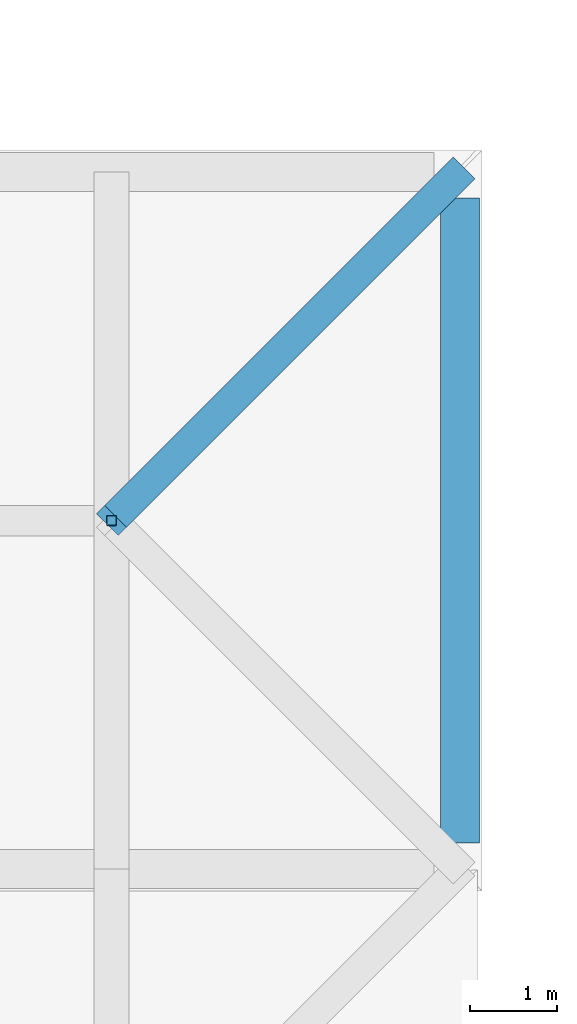
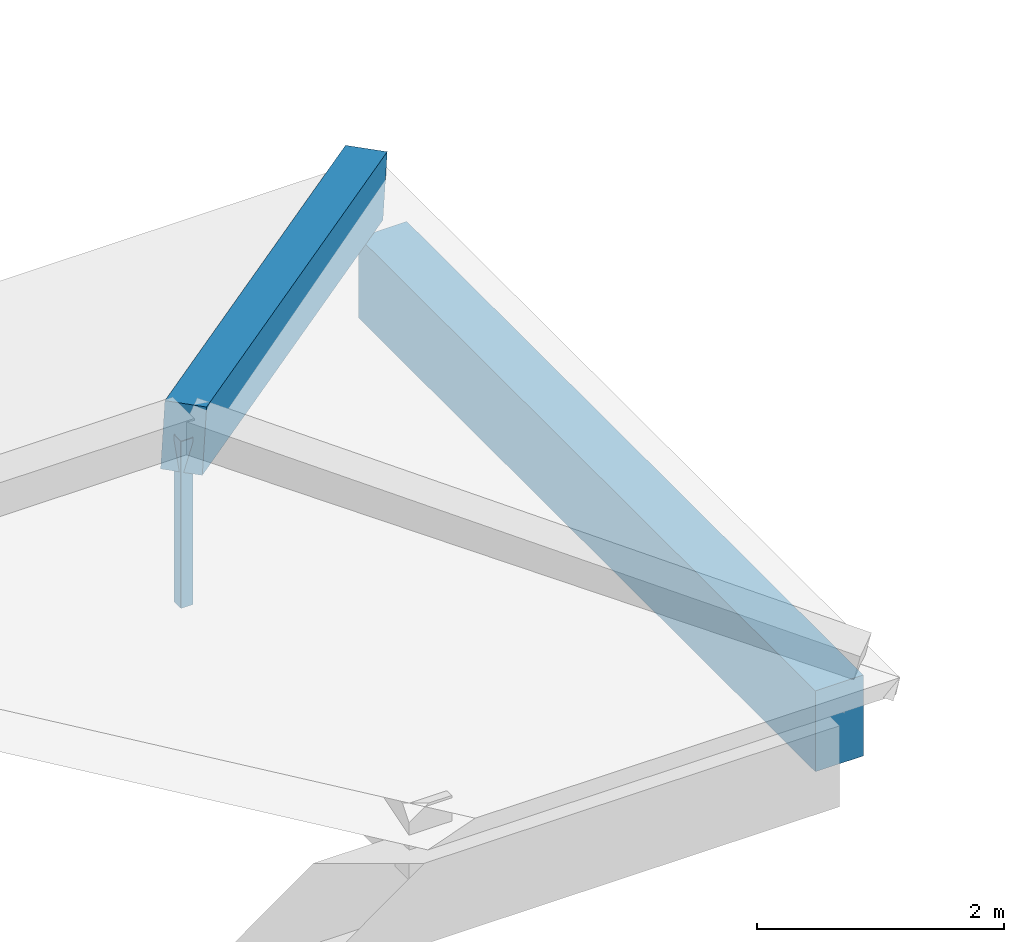
# One storey, part 23 of 56: 2 beams, 1 member.
"""IFC4 building model written with IfcOpenShell, lengths in metres."""

from ifc_helpers import new_model, si_unit, direction, frame, origin, origin_2d, place, context, subcontext, project, spatial, rectangle, hollow_rectangle, extrude, material, material_profile, profile_set, type_object, element, save


model = new_model("IFC4")

# Units and contexts
model_context = context("Model", 3, precision=1e-05, world=origin(), true_north=direction((0.0, 1.0)))
body_context = subcontext(model_context, "Body", "Model", "MODEL_VIEW")
ifc_project = project(units=[si_unit("LENGTHUNIT", "METRE"), si_unit("AREAUNIT", "SQUARE_METRE"), si_unit("VOLUMEUNIT", "CUBIC_METRE"), si_unit("PLANEANGLEUNIT", "RADIAN"), si_unit("MASSUNIT", "GRAM", prefix="KILO")], contexts=[model_context])

# Site, building, storey
site_placement = place(None, origin())
site = spatial("IfcSite", under=ifc_project, at=site_placement, CompositionType="ELEMENT")
building_placement = place(site_placement, origin())
building = spatial("IfcBuilding", under=site, at=building_placement, Name="Zacnel Wholesale Market", CompositionType="ELEMENT")
storey_placement = place(building_placement, frame((0.0, 0.0, 20.300048828125)))
storey = spatial("IfcBuildingStorey", under=building, at=storey_placement, Name="RF", CompositionType="ELEMENT", Elevation=20.300048828125)

# Beams
ifc_material_1 = material(Name="Concrete C40/50", Category="concrete")
ifc_material_profile_1 = material_profile(ifc_material_1, rectangle(XDim=0.35009765625, YDim=0.60009765625, at=origin_2d()), Name="ARCH RIB 350x600")
ifc_profile_set_1 = profile_set([ifc_material_profile_1], Name="Concrete C40/50")
beam_type_1 = type_object("IfcBeamType", Name="BM-AR600", PredefinedType="USERDEFINED", material=ifc_profile_set_1)
beam_1_placement = place(storey_placement, frame((143.699951171875, 24.0, -0.320068359375), z_axis=(-0.689141918443, -0.689141918443, 0.223979535871), x_axis=(0.707106781187, -0.707106781187, 0.0)))
element("IfcBeam", 1, at=beam_1_placement, inside=storey, type_object=beam_type_1, Name="Hipped crown rib STR-ROOF-V4E-TOP-3", ObjectType="ARCH RIB", PredefinedType="USERDEFINED", context=body_context, shape_type="SweptSolid", body=[
    extrude(rectangle(XDim=0.35009765625, YDim=0.60009765625, at=origin_2d()), origin(), (0.0, 0.0, 1.0), 5.80419921875),
])
ifc_material_2 = material(Name="Precast concrete C45/55", Category="concrete")
ifc_material_profile_2 = material_profile(ifc_material_2, rectangle(XDim=0.449951171875, YDim=0.800048828125, at=origin_2d()), Name="PG 450x800")
ifc_profile_set_2 = profile_set([ifc_material_profile_2], Name="Precast concrete C45/55")
beam_type_2 = type_object("IfcBeamType", Name="BM-PG800", PredefinedType="BEAM", material=ifc_profile_set_2)
beam_2_placement = place(storey_placement, frame((143.699951171875, 16.300048828125, -1.0), z_axis=(0.0, 1.0, 0.0), x_axis=(-1.0, 0.0, 0.0)))
element("IfcBeam", 2, at=beam_2_placement, inside=storey, type_object=beam_type_2, Name="Precast wing girder Y V4EL4-010", PredefinedType="BEAM", context=body_context, shape_type="SweptSolid", body=[
    extrude(rectangle(XDim=0.449951171875, YDim=0.800048828125, at=origin_2d()), origin(), (0.0, 0.0, 1.0), 7.39990234375),
])

# Member
ifc_material_3 = material(Name="Steel S355", Category="steel")
ifc_material_profile_3 = material_profile(ifc_material_3, hollow_rectangle(XDim=0.1201171875, YDim=0.1201171875, WallThickness=0.00634765625, InnerFilletRadius=0.006103515625, OuterFilletRadius=0.011962890625, at=origin_2d()), Name="HSS 120x120x6.3")
ifc_profile_set_3 = profile_set([ifc_material_profile_3], Name="Steel S355")
member_type = type_object("IfcMemberType", Name="MEM-PST-HSS120", PredefinedType="POST", material=ifc_profile_set_3)
member_placement = place(storey_placement, frame((139.699951171875, 20.0, -0.650146484375), z_axis=(0.0, 0.0, 1.0), x_axis=(1.0, 0.0, 0.0)))
element("IfcMember", 3, at=member_placement, inside=storey, type_object=member_type, Name="Hipped crown king-post STR-ROOF-V4E-TOP-2", PredefinedType="POST", context=body_context, shape_type="SweptSolid", body=[
    extrude(hollow_rectangle(XDim=0.1201171875, YDim=0.1201171875, WallThickness=0.00634765625, InnerFilletRadius=0.006103515625, OuterFilletRadius=0.011962890625, at=origin_2d()), origin(), (0.0, 0.0, 1.0), 1.650146484375),
])

save(model, "model.ifc")
